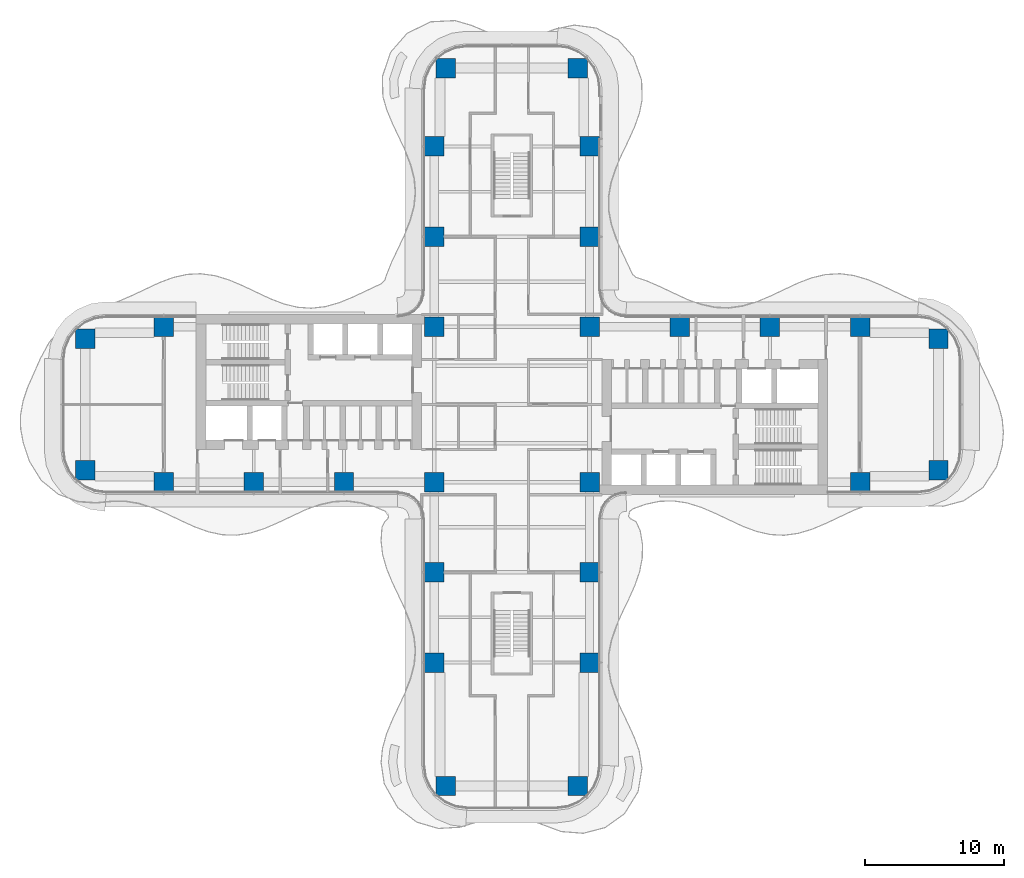
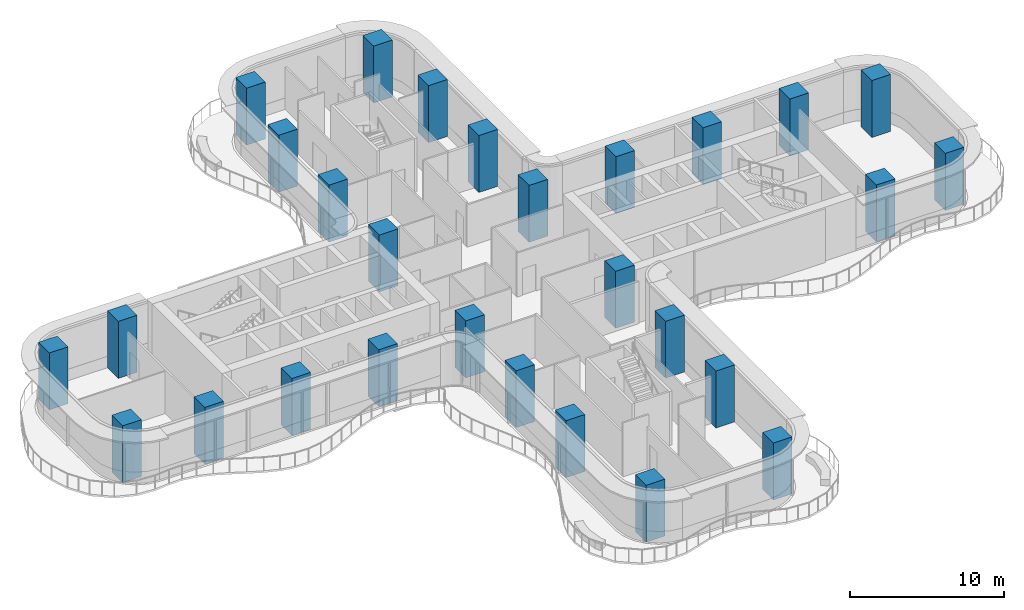
# One storey, part 1 of 23: 28 columns.
"""IFC4 building model written with IfcOpenShell, lengths in metres."""

import ifcopenshell
import ifcopenshell.guid

model = None  # the IFC model being written
_history = None  # IfcOwnerHistory: only IFC2X3 demands one
_inside = {}  # id of a spatial element -> (the spatial element, [elements in it])
_under = {}  # id of a project, library or spatial element -> (it, [spatial elements below it])
_declared = {}  # id of a project -> (the project, [libraries it declares])
_typed = {}  # id of a type object -> (the type object, [elements of that type])
_made_of = {}  # id of a material, layer set ... -> (it, [elements and type objects made of it])


def new_model(schema):
    """Start an empty IFC model of exactly this schema.

    Asked for "IFC4X3", IfcOpenShell would pick the latest addendum, in which some entities
    have other attributes; the version numbers below select the first issue.
    IFC2X3 requires an IfcOwnerHistory on every rooted entity: one is made here for all.
    """
    global model, _history
    if schema == "IFC4X3":
        model = ifcopenshell.file(schema_version=(4, 3, 0, 0))
    else:
        model = ifcopenshell.file(schema=schema)
    _inside.clear()
    _under.clear()
    _declared.clear()
    _typed.clear()
    _made_of.clear()
    _history = None
    if model.schema == "IFC2X3":
        org = make("IfcOrganization", Name="unknown")
        user = make(
            "IfcPersonAndOrganization",
            ThePerson=make("IfcPerson", FamilyName="unknown"),
            TheOrganization=org,
        )
        app = make(
            "IfcApplication",
            ApplicationDeveloper=org,
            Version="unknown",
            ApplicationFullName="unknown",
            ApplicationIdentifier="unknown",
        )
        _history = make(
            "IfcOwnerHistory",
            OwningUser=user,
            OwningApplication=app,
            ChangeAction="ADDED",
            CreationDate=0,
        )
    return model


def make(cls, **values):
    """One entity of the class cls with the attributes given. An attribute that is None is left unset."""
    return model.create_entity(
        cls, **{name: value for name, value in values.items() if value is not None}
    )


def rooted(cls, **values):
    """An entity with a GlobalId (a new one), such as an element, a storey or a relation."""
    return make(cls, GlobalId=ifcopenshell.guid.new(), OwnerHistory=_history, **values)


def si_unit(unit_type, name, prefix=None):
    """IfcSIUnit, for example si_unit("LENGTHUNIT", "METRE", prefix="MILLI")."""
    return make("IfcSIUnit", UnitType=unit_type, Prefix=prefix, Name=name)


def assignment(units):
    """IfcUnitAssignment: the units of a project."""
    return None if units is None else make("IfcUnitAssignment", Units=units)


def point(xyz):
    """IfcCartesianPoint."""
    return None if xyz is None else make("IfcCartesianPoint", Coordinates=xyz)


def direction(xyz):
    """IfcDirection."""
    return None if xyz is None else make("IfcDirection", DirectionRatios=xyz)


def frame(location, z_axis=None, x_axis=None):
    """IfcAxis2Placement3D, a coordinate frame: its origin and axes. An axis left out is left unset."""
    return make(
        "IfcAxis2Placement3D",
        Location=point(location),
        Axis=direction(z_axis),
        RefDirection=direction(x_axis),
    )


def frame_2d(location, x_axis=None):
    """IfcAxis2Placement2D, a coordinate frame in the plane: its origin and x axis."""
    return make(
        "IfcAxis2Placement2D", Location=point(location), RefDirection=direction(x_axis)
    )


def origin():
    """The frame at (0, 0, 0) with its axes left unset."""
    return frame((0.0, 0.0, 0.0))


def origin_2d():
    """The frame at (0, 0) in the plane with its x axis left unset."""
    return frame_2d((0.0, 0.0))


def place(relative_to, where):
    """IfcLocalPlacement: puts the frame where relative to a parent placement (None: the world)."""
    return make(
        "IfcLocalPlacement", PlacementRelTo=relative_to, RelativePlacement=where
    )


def context(
    kind, dimensions, precision=None, world=None, true_north=None, identifier=None
):
    """IfcGeometricRepresentationContext, for example the 3D "Model" context."""
    return make(
        "IfcGeometricRepresentationContext",
        ContextIdentifier=identifier,
        ContextType=kind,
        CoordinateSpaceDimension=dimensions,
        Precision=precision,
        WorldCoordinateSystem=world,
        TrueNorth=true_north,
    )


def subcontext(parent, identifier, kind, view, scale=None):
    """IfcGeometricRepresentationSubContext, for example "Body" below "Model"."""
    return make(
        "IfcGeometricRepresentationSubContext",
        ContextIdentifier=identifier,
        ContextType=kind,
        ParentContext=parent,
        TargetScale=scale,
        TargetView=view,
    )


def project(units=None, contexts=None):
    """IfcProject with its units and contexts."""
    return rooted(
        "IfcProject",
        Name="project",
        RepresentationContexts=contexts,
        UnitsInContext=assignment(units),
    )


def spatial(cls, under=None, at=None, **own):
    """A site, building, storey or space (cls), placed at a placement, below another one or the project."""
    s = rooted(cls, ObjectPlacement=at, **own)
    if under is not None:
        _under.setdefault(under.id(), (under, []))[1].append(s)
    return s


def profile(cls, at=None, kind="AREA", **sizes):
    """A parametric profile (cls). Its sizes go by their IFC names, for example OverallWidth=200.0."""
    return make(cls, ProfileType=kind, Position=at, **sizes)


def rectangle(**sizes):
    """IfcRectangleProfileDef."""
    return profile("IfcRectangleProfileDef", **sizes)


def extrude(swept, where, along, depth):
    """IfcExtrudedAreaSolid: the profile swept, set in the frame where, extruded along a direction by depth."""
    return make(
        "IfcExtrudedAreaSolid",
        SweptArea=swept,
        Position=where,
        ExtrudedDirection=direction(along),
        Depth=depth,
    )


def shape(context_of_items, identifier, shape_type, items):
    """IfcShapeRepresentation: the items that make up one representation, for example the "Body"."""
    return make(
        "IfcShapeRepresentation",
        ContextOfItems=context_of_items,
        RepresentationIdentifier=identifier,
        RepresentationType=shape_type,
        Items=items,
    )


def source(mapping_origin, context_of_items, identifier, shape_type, items):
    """IfcRepresentationMap: a shape defined once, which mapped items show again and again."""
    return make(
        "IfcRepresentationMap",
        MappingOrigin=mapping_origin,
        MappedRepresentation=shape(context_of_items, identifier, shape_type, items),
    )


def transform(
    local_origin,
    x_axis=None,
    y_axis=None,
    z_axis=None,
    scale=None,
    scale2=None,
    scale3=None,
    uniform=True,
):
    """IfcCartesianTransformationOperator3D, or its non-uniform kind. x_axis, y_axis, z_axis: its Axis1, 2, 3."""
    if uniform:
        return make(
            "IfcCartesianTransformationOperator3D",
            Axis1=direction(x_axis),
            Axis2=direction(y_axis),
            LocalOrigin=point(local_origin),
            Scale=scale,
            Axis3=direction(z_axis),
        )
    return make(
        "IfcCartesianTransformationOperator3DnonUniform",
        Axis1=direction(x_axis),
        Axis2=direction(y_axis),
        LocalOrigin=point(local_origin),
        Scale=scale,
        Axis3=direction(z_axis),
        Scale2=scale2,
        Scale3=scale3,
    )


def mapped(mapping_source, mapping_target):
    """IfcMappedItem: shows the shape of a source again, moved by a transform."""
    return make(
        "IfcMappedItem", MappingSource=mapping_source, MappingTarget=mapping_target
    )


def material(Name=None, Category=None):
    """IfcMaterial."""
    return make("IfcMaterial", Name=Name, Category=Category)


def material_profile(
    of_material, cross_section, Name=None, Category=None, Priority=None
):
    """IfcMaterialProfile: a cross section and its material."""
    return make(
        "IfcMaterialProfile",
        Name=Name,
        Material=of_material,
        Profile=cross_section,
        Priority=Priority,
        Category=Category,
    )


def profile_set(profiles, Name=None, composite=None):
    """IfcMaterialProfileSet."""
    return make(
        "IfcMaterialProfileSet",
        Name=Name,
        MaterialProfiles=profiles,
        CompositeProfile=composite,
    )


def made_of(thing, what):
    """Note that an element or type object is made of a material, layer set ...; save() writes the relation."""
    if what is not None:
        _made_of.setdefault(what.id(), (what, []))[1].append(thing)
    return thing


def type_object(cls, material=None, **own):
    """A type object (cls), such as IfcWallType, which elements share."""
    return made_of(rooted(cls, **own), material)


def element(
    cls,
    number,
    at=None,
    inside=None,
    cuts=None,
    type_object=None,
    material=None,
    context=None,
    identifier="Body",
    shape_type=None,
    held_by="IfcProductDefinitionShape",
    body=None,
    shapes=None,
    **own,
):
    """One element of the class cls, such as IfcWall. Its Tag is "e" and its number.

    at: its placement. inside: the storey or other place that contains it. cuts: it is an
    opening in that element (IfcRelVoidsElement). A single representation is given by context,
    identifier, shape_type and body (its items); several are given by shapes. held_by: the class
    of the entity that holds the representations. save() writes the other relations.
    """
    e = rooted(cls, Tag="e%d" % number, ObjectPlacement=at, **own)
    if body is not None:
        shapes = [shape(context, identifier, shape_type, body)]
    if shapes is not None:
        e.Representation = make(held_by, Representations=shapes)
    if inside is not None:
        _inside.setdefault(inside.id(), (inside, []))[1].append(e)
    if cuts is not None:
        rooted(
            "IfcRelVoidsElement", RelatingBuildingElement=cuts, RelatedOpeningElement=e
        )
    if type_object is not None:
        _typed.setdefault(type_object.id(), (type_object, []))[1].append(e)
    return made_of(e, material)


def aggregate(whole, parts):
    """IfcRelAggregates: a whole, such as a stair, and the parts it consists of."""
    return rooted("IfcRelAggregates", RelatingObject=whole, RelatedObjects=parts)


def save(model, path):
    """Write the relations noted so far, then the file.

    IfcRelAggregates (storeys below a building ...), IfcRelContainedInSpatialStructure (elements
    in a storey), IfcRelDefinesByType, IfcRelAssociatesMaterial and IfcRelDeclares: one each for
    every whole, place, type object, material and project.
    """
    for whole, parts in _under.values():
        aggregate(whole, parts)
    for where, things in _inside.values():
        rooted(
            "IfcRelContainedInSpatialStructure",
            RelatedElements=things,
            RelatingStructure=where,
        )
    for kind, things in _typed.values():
        rooted("IfcRelDefinesByType", RelatedObjects=things, RelatingType=kind)
    for what, things in _made_of.values():
        rooted("IfcRelAssociatesMaterial", RelatedObjects=things, RelatingMaterial=what)
    for by, libraries in _declared.values():
        rooted("IfcRelDeclares", RelatingContext=by, RelatedDefinitions=libraries)
    model.write(path)


model = new_model("IFC4")

# Units and contexts
model_context = context("Model", 3, precision=1e-05, world=origin(), true_north=direction((0.0, 1.0)))
body_context = subcontext(model_context, "Body", "Model", "MODEL_VIEW")
ifc_project = project(units=[si_unit("LENGTHUNIT", "METRE"), si_unit("AREAUNIT", "SQUARE_METRE"), si_unit("VOLUMEUNIT", "CUBIC_METRE"), si_unit("PLANEANGLEUNIT", "RADIAN"), si_unit("MASSUNIT", "GRAM", prefix="KILO")], contexts=[model_context])

# Site, building, storey
site_placement = place(None, origin())
site = spatial("IfcSite", under=ifc_project, at=site_placement, CompositionType="ELEMENT")
building_placement = place(site_placement, origin())
building = spatial("IfcBuilding", under=site, at=building_placement, Name="Trellis Farm Tower", CompositionType="ELEMENT")
storey_placement = place(building_placement, frame((0.0, 0.0, 83.5)))
storey = spatial("IfcBuildingStorey", under=building, at=storey_placement, Name="L17", CompositionType="ELEMENT", Elevation=83.5)

# Columns
ifc_material = material(Name="Concrete C80/95", Category="concrete")
ifc_material_profile = material_profile(ifc_material, rectangle(XDim=1.39990234375, YDim=1.39990234375, at=origin_2d()), Name="RC column 1400x1400 C80/95")
ifc_profile_set = profile_set([ifc_material_profile], Name="Concrete C80/95")
column_type = type_object("IfcColumnType", Name="RC column 1400x1400 C80/95", PredefinedType="COLUMN", material=ifc_profile_set)
shared_shape = source(origin(), body_context, "Body", "SweptSolid", [
    extrude(rectangle(XDim=1.39990234375, YDim=1.39990234375, at=origin_2d()), origin(), (0.0, 0.0, 1.0), 4.5),
])
for number, where, z_axis, x_axis, name in (
    (1, (12.10009765625, 5.60009765625, 0.0), (0.0, 0.0, 1.0), (1.0, 0.0, 0.0), "Column"),
    (2, (18.60009765625, 5.60009765625, 0.0), (0.0, 0.0, 1.0), (1.0, 0.0, 0.0), "Column"),
    (3, (25.10009765625, 5.60009765625, 0.0), (0.0, 0.0, 1.0), (1.0, 0.0, 0.0), "Column"),
    (4, (30.75, 4.75, 0.0), (0.0, 0.0, 1.0), (1.0, 0.0, 0.0), "Column"),
    (5, (25.10009765625, -5.60009765625, 0.0), (0.0, 0.0, 1.0), (1.0, 0.0, 0.0), "Column"),
    (6, (30.75, -4.75, 0.0), (0.0, 0.0, 1.0), (1.0, 0.0, 0.0), "Column"),
    (7, (-5.60009765625, 12.10009765625, 0.0), (0.0, 0.0, 1.0), (1.0, 0.0, 0.0), "Column"),
    (8, (-5.60009765625, 18.60009765625, 0.0), (0.0, 0.0, 1.0), (1.0, 0.0, 0.0), "Column"),
    (9, (-4.75, 24.25, 0.0), (0.0, 0.0, 1.0), (1.0, 0.0, 0.0), "Column"),
    (10, (5.60009765625, 12.10009765625, 0.0), (0.0, 0.0, 1.0), (1.0, 0.0, 0.0), "Column"),
    (11, (5.60009765625, 18.60009765625, 0.0), (0.0, 0.0, 1.0), (1.0, 0.0, 0.0), "Column"),
    (12, (4.75, 24.25, 0.0), (0.0, 0.0, 1.0), (1.0, 0.0, 0.0), "Column"),
    (13, (5.60009765625, 5.60009765625, 0.0), (0.0, 0.0, 1.0), (1.0, 0.0, 0.0), "Column"),
    (14, (-5.60009765625, 5.60009765625, 0.0), (0.0, 0.0, 1.0), (1.0, 0.0, 0.0), "Column"),
    (15, (5.60009765625, -5.60009765625, 0.0), (0.0, 0.0, 1.0), (1.0, 0.0, 0.0), "Column"),
    (16, (-5.60009765625, -5.60009765625, 0.0), (0.0, 0.0, 1.0), (1.0, 0.0, 0.0), "Column"),
    (17, (5.60009765625, -12.10009765625, 0.0), (0.0, 0.0, 1.0), (1.0, 0.0, 0.0), "Column"),
    (18, (5.60009765625, -18.60009765625, 0.0), (0.0, 0.0, 1.0), (1.0, 0.0, 0.0), "Column"),
    (19, (4.75, -27.5, 0.0), (0.0, 0.0, 1.0), (1.0, 0.0, 0.0), "Column"),
    (20, (-5.60009765625, -12.10009765625, 0.0), (0.0, 0.0, 1.0), (1.0, 0.0, 0.0), "Column"),
    (21, (-5.60009765625, -18.60009765625, 0.0), (0.0, 0.0, 1.0), (1.0, 0.0, 0.0), "Column"),
    (22, (-4.75, -27.5, 0.0), (0.0, 0.0, 1.0), (1.0, 0.0, 0.0), "Column"),
    (23, (-12.10009765625, -5.60009765625, 0.0), (0.0, 0.0, 1.0), (1.0, 0.0, 0.0), "Column"),
    (24, (-18.60009765625, -5.60009765625, 0.0), (0.0, 0.0, 1.0), (1.0, 0.0, 0.0), "Column"),
    (25, (-25.10009765625, -5.60009765625, 0.0), (0.0, 0.0, 1.0), (1.0, 0.0, 0.0), "Column"),
    (26, (-30.75, -4.75, 0.0), (0.0, 0.0, 1.0), (1.0, 0.0, 0.0), "Column"),
    (27, (-25.10009765625, 5.60009765625, 0.0), (0.0, 0.0, 1.0), (1.0, 0.0, 0.0), "Column"),
    (28, (-30.75, 4.75, 0.0), (0.0, 0.0, 1.0), (1.0, 0.0, 0.0), "Column"),
):
    element("IfcColumn", number, at=place(storey_placement, frame(where, z_axis=z_axis, x_axis=x_axis)), inside=storey, type_object=column_type, Name=name, PredefinedType="COLUMN", context=body_context, shape_type="MappedRepresentation", body=[
        mapped(shared_shape, transform((0.0, 0.0, 0.0))),
    ])

save(model, "model.ifc")
